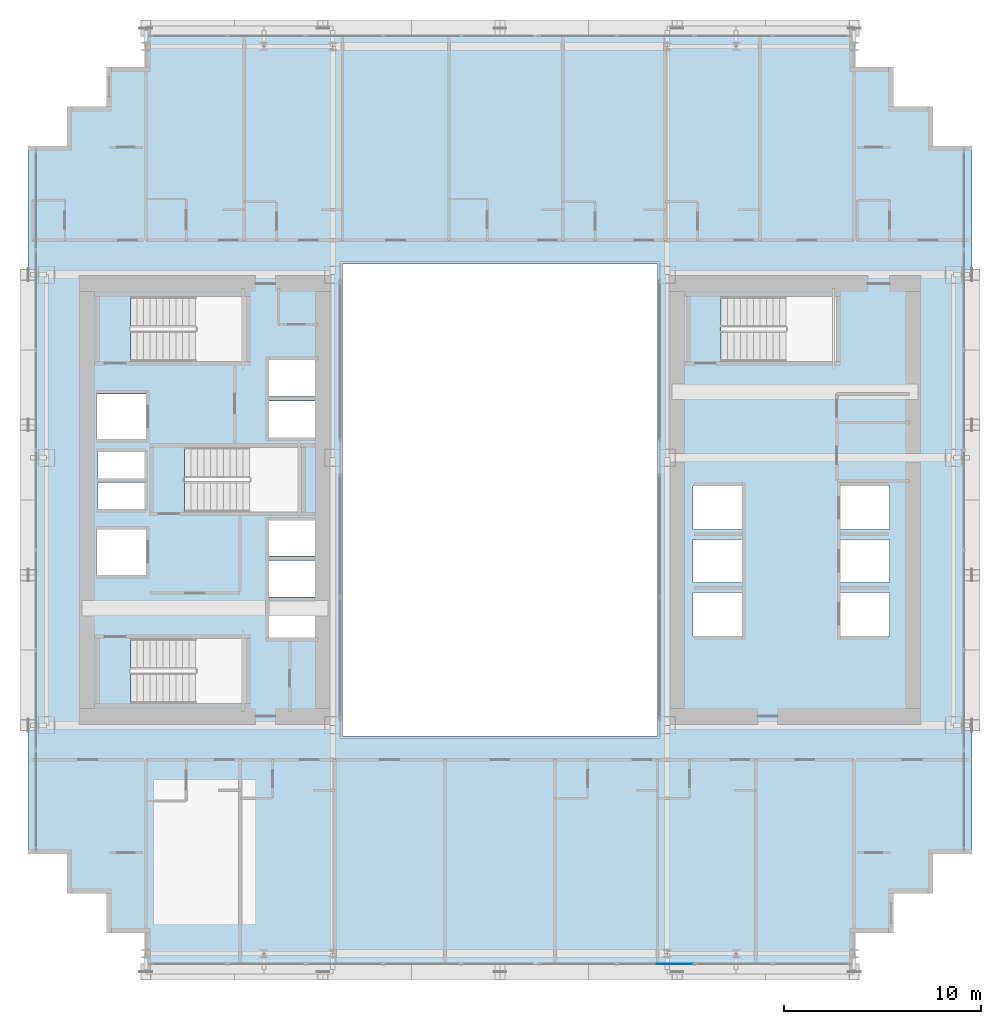
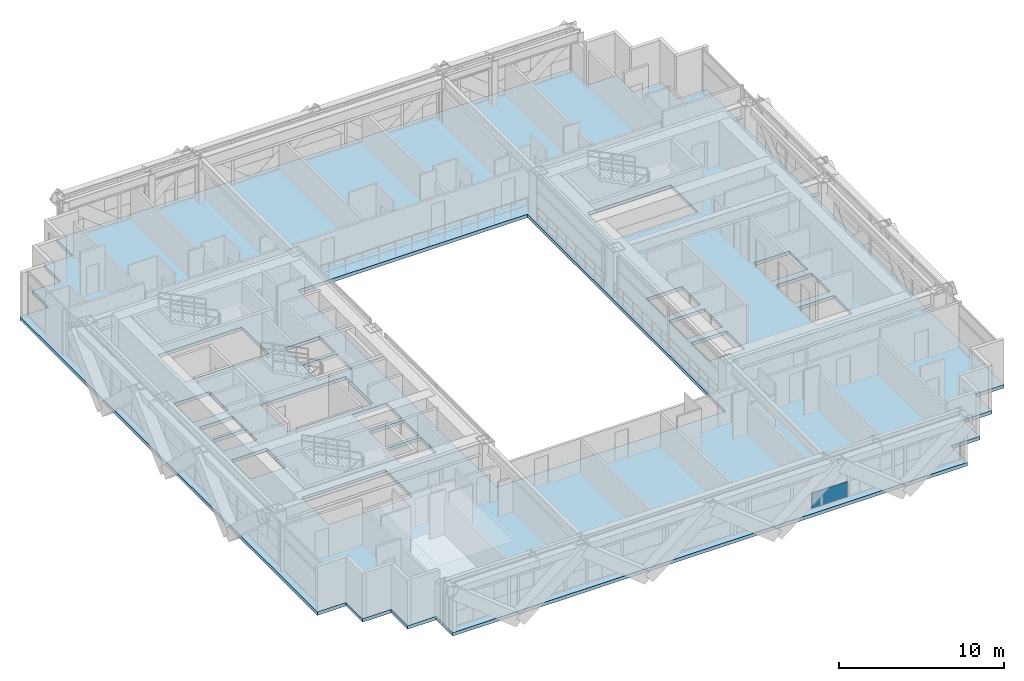
# One storey, part 28 of 41: 1 plate, 1 slab, 1 element without a shape of its own.
"""IFC4 building model written with IfcOpenShell, lengths in metres."""

from ifc_helpers import new_model, si_unit, direction, frame, origin, origin_2d, place, context, subcontext, project, spatial, polyline, rectangle, outline, extrude, source, transform, mapped, material, layer, layer_set, type_object, element, aggregate, save


model = new_model("IFC4")

# Units and contexts
model_context = context("Model", 3, precision=1e-05, world=origin(), true_north=direction((0.0, 1.0)))
body_context = subcontext(model_context, "Body", "Model", "MODEL_VIEW")
ifc_project = project(units=[si_unit("LENGTHUNIT", "METRE"), si_unit("AREAUNIT", "SQUARE_METRE"), si_unit("VOLUMEUNIT", "CUBIC_METRE"), si_unit("PLANEANGLEUNIT", "RADIAN"), si_unit("MASSUNIT", "GRAM", prefix="KILO")], contexts=[model_context])

# Site, building, storey
site_placement = place(None, origin())
site = spatial("IfcSite", under=ifc_project, at=site_placement, CompositionType="ELEMENT")
building_placement = place(site_placement, origin())
building = spatial("IfcBuilding", under=site, at=building_placement, Name="Ocotamira Hotel", CompositionType="ELEMENT")
storey_placement = place(building_placement, frame((0.0, 0.0, 67.199951171875)))
storey = spatial("IfcBuildingStorey", under=building, at=storey_placement, Name="L16", CompositionType="ELEMENT", Elevation=67.199951171875)

# Slab
ifc_material_1 = material(Name="Concrete C40/50", Category="concrete")
ifc_layer_1 = layer(ifc_material_1, 0.25)
ifc_layer_set_1 = layer_set([ifc_layer_1], Name="Concrete C40/50")
slab_type = type_object("IfcSlabType", Name="SLB-Z1-250", PredefinedType="FLOOR", material=ifc_layer_set_1)
slab_placement = place(storey_placement, frame((0.0, 0.0, -0.25)))
element("IfcSlab", 1, at=slab_placement, inside=storey, type_object=slab_type, Name="L16 Structural Floor Slab", PredefinedType="FLOOR", context=body_context, shape_type="SweptSolid", body=[
    extrude(outline(polyline([(14.0, 2.0), (50.0, 2.0), (50.0, 4.0), (52.0, 4.0), (52.0, 6.0), (54.0, 6.0), (54.0, 8.0), (56.0, 8.0), (56.0, 44.0), (54.0, 44.0), (54.0, 46.0), (52.0, 46.0), (52.0, 48.0), (50.0, 48.0), (50.0, 50.0), (14.0, 50.0), (14.0, 48.0), (12.0, 48.0), (12.0, 46.0), (10.0, 46.0), (10.0, 44.0), (8.0, 44.0), (8.0, 8.0), (10.0, 8.0), (10.0, 6.0), (12.0, 6.0), (12.0, 4.0), (14.0, 4.0), (14.0, 2.0)]), holes=[polyline([(24.0, 14.0), (40.0, 14.0), (40.0, 38.0), (24.0, 38.0), (24.0, 14.0)]), polyline([(13.22998046875, 15.669921875), (19.090087890625, 15.669921875), (19.090087890625, 18.949951171875), (13.22998046875, 18.949951171875), (13.22998046875, 15.669921875)]), polyline([(13.22998046875, 33.050048828125), (19.090087890625, 33.050048828125), (19.090087890625, 36.330078125), (13.22998046875, 36.330078125), (13.22998046875, 33.050048828125)]), polyline([(15.9599609375, 25.39990234375), (21.919921875, 25.39990234375), (21.919921875, 28.679931640625), (15.9599609375, 28.679931640625), (15.9599609375, 25.39990234375)]), polyline([(43.22998046875, 33.050048828125), (49.090087890625, 33.050048828125), (49.090087890625, 36.330078125), (43.22998046875, 36.330078125), (43.22998046875, 33.050048828125)]), polyline([(49.300048828125, 19.10009765625), (51.800048828125, 19.10009765625), (51.800048828125, 21.300048828125), (49.300048828125, 21.300048828125), (49.300048828125, 19.10009765625)]), polyline([(49.300048828125, 21.800048828125), (51.800048828125, 21.800048828125), (51.800048828125, 24.0), (49.300048828125, 24.0), (49.300048828125, 21.800048828125)]), polyline([(49.300048828125, 24.5), (51.800048828125, 24.5), (51.800048828125, 26.699951171875), (49.300048828125, 26.699951171875), (49.300048828125, 24.5)]), polyline([(41.800048828125, 19.10009765625), (44.300048828125, 19.10009765625), (44.300048828125, 21.300048828125), (41.800048828125, 21.300048828125), (41.800048828125, 19.10009765625)]), polyline([(41.800048828125, 21.800048828125), (44.300048828125, 21.800048828125), (44.300048828125, 24.0), (41.800048828125, 24.0), (41.800048828125, 21.800048828125)]), polyline([(41.800048828125, 24.5), (44.300048828125, 24.5), (44.300048828125, 26.699951171875), (41.800048828125, 26.699951171875), (41.800048828125, 24.5)]), polyline([(20.25, 19.0), (22.659912109375, 19.0), (22.659912109375, 20.85009765625), (20.25, 20.85009765625), (20.25, 19.0)]), polyline([(20.25, 21.080078125), (22.659912109375, 21.080078125), (22.659912109375, 22.929931640625), (20.25, 22.929931640625), (20.25, 21.080078125)]), polyline([(20.25, 23.159912109375), (22.659912109375, 23.159912109375), (22.659912109375, 24.9599609375), (20.25, 24.9599609375), (20.25, 23.159912109375)]), polyline([(20.25, 29.179931640625), (22.659912109375, 29.179931640625), (22.659912109375, 31.030029296875), (20.25, 31.030029296875), (20.25, 29.179931640625)]), polyline([(20.25, 31.260009765625), (22.659912109375, 31.260009765625), (22.659912109375, 33.110107421875), (20.25, 33.110107421875), (20.25, 31.260009765625)]), polyline([(11.5, 22.199951171875), (14.0, 22.199951171875), (14.0, 24.5), (11.5, 24.5), (11.5, 22.199951171875)]), polyline([(11.5, 29.10009765625), (14.0, 29.10009765625), (14.0, 31.39990234375), (11.5, 31.39990234375), (11.5, 29.10009765625)]), polyline([(11.580078125, 25.550048828125), (13.919921875, 25.550048828125), (13.919921875, 26.89990234375), (11.580078125, 26.89990234375), (11.580078125, 25.550048828125)]), polyline([(11.580078125, 27.10009765625), (13.919921875, 27.10009765625), (13.919921875, 28.449951171875), (11.580078125, 28.449951171875), (11.580078125, 27.10009765625)])]), origin(), (0.0, 0.0, 1.0), 0.25),
])

# Curtain wall, plate
ifc_material_2 = material(Name="Anodised pale-metal aluminium and solar glass", Category="aluminium")
ifc_layer_2 = layer(ifc_material_2, 0.179931640625)
ifc_layer_set_2 = layer_set([ifc_layer_2], Name="Anodised pale-metal aluminium and solar glass")
curtain_wall_type = type_object("IfcCurtainWallType", Name="CW-SYS2-Z1", PredefinedType="NOTDEFINED", material=ifc_layer_set_2)
curtain_wall_placement = place(storey_placement, origin())
curtain_wall = element("IfcCurtainWall", 2, at=curtain_wall_placement, inside=storey, type_object=curtain_wall_type, Name="L16 Curtain Wall CW-2 CW-L16-S1", PredefinedType="NOTDEFINED")
ifc_material_3 = material(Name="Double-silver low-E insulated solar glass", Category="glass")
ifc_layer_3 = layer(ifc_material_3, 0.031982421875)
ifc_layer_set_3 = layer_set([ifc_layer_3], Name="Double-silver low-E insulated solar glass")
plate_type = type_object("IfcPlateType", Name="CWP-VISION-32", PredefinedType="CURTAIN_PANEL", material=ifc_layer_set_3)
shared_shape = source(origin(), body_context, "Body", "SweptSolid", [
    extrude(rectangle(XDim=2.511474609375, YDim=0.031982421875, at=origin_2d()), origin(), (0.0, 0.0, 1.0), 1.11865234375),
])
plate_placement = place(storey_placement, frame((40.59326171875, 2.419921875, 0.0751953125), z_axis=(0.0, 0.0, 1.0), x_axis=(1.0, 0.0, 0.0)))
plate = element("IfcPlate", 3, at=plate_placement, type_object=plate_type, Name="CW-2 panel 7.1.1", PredefinedType="CURTAIN_PANEL", context=body_context, shape_type="MappedRepresentation", body=[
    mapped(shared_shape, transform((0.0, 0.0, 0.0), scale=1.0)),
])
aggregate(curtain_wall, [plate])

save(model, "model.ifc")
